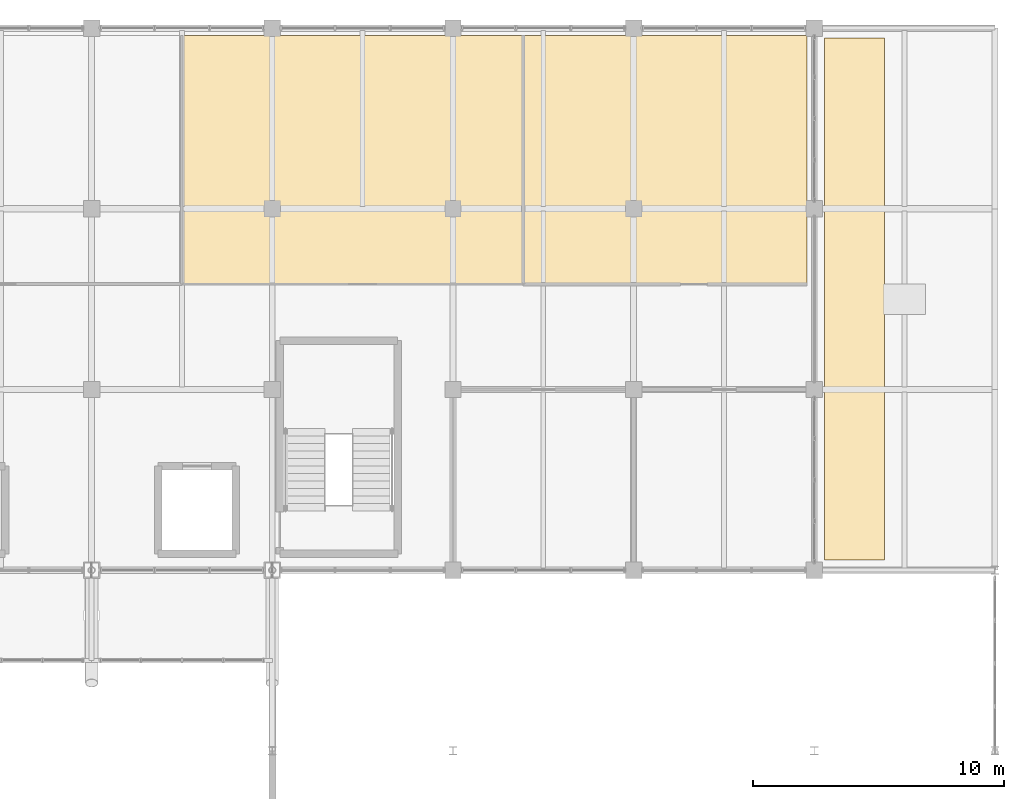
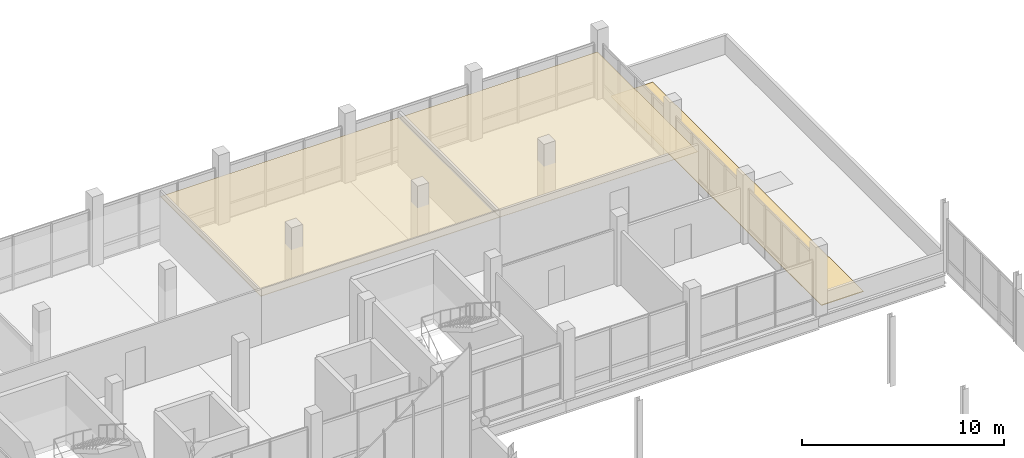
# One storey, part 102 of 102: 3 coverings.
"""IFC4 building model written with IfcOpenShell, lengths in metres."""

import ifcopenshell
import ifcopenshell.guid

model = None  # the IFC model being written
_history = None  # IfcOwnerHistory: only IFC2X3 demands one
_inside = {}  # id of a spatial element -> (the spatial element, [elements in it])
_under = {}  # id of a project, library or spatial element -> (it, [spatial elements below it])
_declared = {}  # id of a project -> (the project, [libraries it declares])
_typed = {}  # id of a type object -> (the type object, [elements of that type])
_made_of = {}  # id of a material, layer set ... -> (it, [elements and type objects made of it])


def new_model(schema):
    """Start an empty IFC model of exactly this schema.

    Asked for "IFC4X3", IfcOpenShell would pick the latest addendum, in which some entities
    have other attributes; the version numbers below select the first issue.
    IFC2X3 requires an IfcOwnerHistory on every rooted entity: one is made here for all.
    """
    global model, _history
    if schema == "IFC4X3":
        model = ifcopenshell.file(schema_version=(4, 3, 0, 0))
    else:
        model = ifcopenshell.file(schema=schema)
    _inside.clear()
    _under.clear()
    _declared.clear()
    _typed.clear()
    _made_of.clear()
    _history = None
    if model.schema == "IFC2X3":
        org = make("IfcOrganization", Name="unknown")
        user = make(
            "IfcPersonAndOrganization",
            ThePerson=make("IfcPerson", FamilyName="unknown"),
            TheOrganization=org,
        )
        app = make(
            "IfcApplication",
            ApplicationDeveloper=org,
            Version="unknown",
            ApplicationFullName="unknown",
            ApplicationIdentifier="unknown",
        )
        _history = make(
            "IfcOwnerHistory",
            OwningUser=user,
            OwningApplication=app,
            ChangeAction="ADDED",
            CreationDate=0,
        )
    return model


def make(cls, **values):
    """One entity of the class cls with the attributes given. An attribute that is None is left unset."""
    return model.create_entity(
        cls, **{name: value for name, value in values.items() if value is not None}
    )


def rooted(cls, **values):
    """An entity with a GlobalId (a new one), such as an element, a storey or a relation."""
    return make(cls, GlobalId=ifcopenshell.guid.new(), OwnerHistory=_history, **values)


def si_unit(unit_type, name, prefix=None):
    """IfcSIUnit, for example si_unit("LENGTHUNIT", "METRE", prefix="MILLI")."""
    return make("IfcSIUnit", UnitType=unit_type, Prefix=prefix, Name=name)


def assignment(units):
    """IfcUnitAssignment: the units of a project."""
    return None if units is None else make("IfcUnitAssignment", Units=units)


def point(xyz):
    """IfcCartesianPoint."""
    return None if xyz is None else make("IfcCartesianPoint", Coordinates=xyz)


def direction(xyz):
    """IfcDirection."""
    return None if xyz is None else make("IfcDirection", DirectionRatios=xyz)


def frame(location, z_axis=None, x_axis=None):
    """IfcAxis2Placement3D, a coordinate frame: its origin and axes. An axis left out is left unset."""
    return make(
        "IfcAxis2Placement3D",
        Location=point(location),
        Axis=direction(z_axis),
        RefDirection=direction(x_axis),
    )


def origin():
    """The frame at (0, 0, 0) with its axes left unset."""
    return frame((0.0, 0.0, 0.0))


def place(relative_to, where):
    """IfcLocalPlacement: puts the frame where relative to a parent placement (None: the world)."""
    return make(
        "IfcLocalPlacement", PlacementRelTo=relative_to, RelativePlacement=where
    )


def context(
    kind, dimensions, precision=None, world=None, true_north=None, identifier=None
):
    """IfcGeometricRepresentationContext, for example the 3D "Model" context."""
    return make(
        "IfcGeometricRepresentationContext",
        ContextIdentifier=identifier,
        ContextType=kind,
        CoordinateSpaceDimension=dimensions,
        Precision=precision,
        WorldCoordinateSystem=world,
        TrueNorth=true_north,
    )


def subcontext(parent, identifier, kind, view, scale=None):
    """IfcGeometricRepresentationSubContext, for example "Body" below "Model"."""
    return make(
        "IfcGeometricRepresentationSubContext",
        ContextIdentifier=identifier,
        ContextType=kind,
        ParentContext=parent,
        TargetScale=scale,
        TargetView=view,
    )


def project(units=None, contexts=None):
    """IfcProject with its units and contexts."""
    return rooted(
        "IfcProject",
        Name="project",
        RepresentationContexts=contexts,
        UnitsInContext=assignment(units),
    )


def spatial(cls, under=None, at=None, **own):
    """A site, building, storey or space (cls), placed at a placement, below another one or the project."""
    s = rooted(cls, ObjectPlacement=at, **own)
    if under is not None:
        _under.setdefault(under.id(), (under, []))[1].append(s)
    return s


def polyline(points):
    """IfcPolyline through the points."""
    return make("IfcPolyline", Points=[point(p) for p in points])


def outline(outer, holes=None, kind="AREA"):
    """IfcArbitraryClosedProfileDef: a profile drawn as a closed curve; with holes, ...WithVoids."""
    if holes is None:
        return make("IfcArbitraryClosedProfileDef", ProfileType=kind, OuterCurve=outer)
    return make(
        "IfcArbitraryProfileDefWithVoids",
        ProfileType=kind,
        OuterCurve=outer,
        InnerCurves=holes,
    )


def extrude(swept, where, along, depth):
    """IfcExtrudedAreaSolid: the profile swept, set in the frame where, extruded along a direction by depth."""
    return make(
        "IfcExtrudedAreaSolid",
        SweptArea=swept,
        Position=where,
        ExtrudedDirection=direction(along),
        Depth=depth,
    )


def shape(context_of_items, identifier, shape_type, items):
    """IfcShapeRepresentation: the items that make up one representation, for example the "Body"."""
    return make(
        "IfcShapeRepresentation",
        ContextOfItems=context_of_items,
        RepresentationIdentifier=identifier,
        RepresentationType=shape_type,
        Items=items,
    )


def material(Name=None, Category=None):
    """IfcMaterial."""
    return make("IfcMaterial", Name=Name, Category=Category)


def layer(
    of_material, thickness, ventilated=None, Name=None, Category=None, Priority=None
):
    """IfcMaterialLayer: one layer of a wall or slab, of a material (None: an air gap)."""
    return make(
        "IfcMaterialLayer",
        Material=of_material,
        LayerThickness=thickness,
        IsVentilated=ventilated,
        Name=Name,
        Category=Category,
        Priority=Priority,
    )


def layer_set(layers, Name=None):
    """IfcMaterialLayerSet."""
    return make("IfcMaterialLayerSet", MaterialLayers=layers, LayerSetName=Name)


def made_of(thing, what):
    """Note that an element or type object is made of a material, layer set ...; save() writes the relation."""
    if what is not None:
        _made_of.setdefault(what.id(), (what, []))[1].append(thing)
    return thing


def type_object(cls, material=None, **own):
    """A type object (cls), such as IfcWallType, which elements share."""
    return made_of(rooted(cls, **own), material)


def element(
    cls,
    number,
    at=None,
    inside=None,
    cuts=None,
    type_object=None,
    material=None,
    context=None,
    identifier="Body",
    shape_type=None,
    held_by="IfcProductDefinitionShape",
    body=None,
    shapes=None,
    **own,
):
    """One element of the class cls, such as IfcWall. Its Tag is "e" and its number.

    at: its placement. inside: the storey or other place that contains it. cuts: it is an
    opening in that element (IfcRelVoidsElement). A single representation is given by context,
    identifier, shape_type and body (its items); several are given by shapes. held_by: the class
    of the entity that holds the representations. save() writes the other relations.
    """
    e = rooted(cls, Tag="e%d" % number, ObjectPlacement=at, **own)
    if body is not None:
        shapes = [shape(context, identifier, shape_type, body)]
    if shapes is not None:
        e.Representation = make(held_by, Representations=shapes)
    if inside is not None:
        _inside.setdefault(inside.id(), (inside, []))[1].append(e)
    if cuts is not None:
        rooted(
            "IfcRelVoidsElement", RelatingBuildingElement=cuts, RelatedOpeningElement=e
        )
    if type_object is not None:
        _typed.setdefault(type_object.id(), (type_object, []))[1].append(e)
    return made_of(e, material)


def aggregate(whole, parts):
    """IfcRelAggregates: a whole, such as a stair, and the parts it consists of."""
    return rooted("IfcRelAggregates", RelatingObject=whole, RelatedObjects=parts)


def save(model, path):
    """Write the relations noted so far, then the file.

    IfcRelAggregates (storeys below a building ...), IfcRelContainedInSpatialStructure (elements
    in a storey), IfcRelDefinesByType, IfcRelAssociatesMaterial and IfcRelDeclares: one each for
    every whole, place, type object, material and project.
    """
    for whole, parts in _under.values():
        aggregate(whole, parts)
    for where, things in _inside.values():
        rooted(
            "IfcRelContainedInSpatialStructure",
            RelatedElements=things,
            RelatingStructure=where,
        )
    for kind, things in _typed.values():
        rooted("IfcRelDefinesByType", RelatedObjects=things, RelatingType=kind)
    for what, things in _made_of.values():
        rooted("IfcRelAssociatesMaterial", RelatedObjects=things, RelatingMaterial=what)
    for by, libraries in _declared.values():
        rooted("IfcRelDeclares", RelatingContext=by, RelatedDefinitions=libraries)
    model.write(path)


model = new_model("IFC4")

# Units and contexts
model_context = context("Model", 3, precision=1e-05, world=origin(), true_north=direction((0.0, 1.0)))
body_context = subcontext(model_context, "Body", "Model", "MODEL_VIEW")
ifc_project = project(units=[si_unit("LENGTHUNIT", "METRE"), si_unit("AREAUNIT", "SQUARE_METRE"), si_unit("VOLUMEUNIT", "CUBIC_METRE"), si_unit("PLANEANGLEUNIT", "RADIAN"), si_unit("MASSUNIT", "GRAM", prefix="KILO")], contexts=[model_context])

# Site, building, storey
site_placement = place(None, origin())
site = spatial("IfcSite", under=ifc_project, at=site_placement, CompositionType="ELEMENT")
building_placement = place(site_placement, origin())
building = spatial("IfcBuilding", under=site, at=building_placement, Name="Yarey Park Central Fire Station", CompositionType="ELEMENT")
storey_placement = place(building_placement, frame((0.0, 0.0, 6.0)))
storey = spatial("IfcBuildingStorey", under=building, at=storey_placement, Name="L02", CompositionType="ELEMENT", Elevation=6.0)

# Coverings
ifc_material_1 = material(Name="High-Albedo TPO Roofing Membrane", Category="membrane")
ifc_layer_1 = layer(ifc_material_1, 0.034912109375)
ifc_layer_set_1 = layer_set([ifc_layer_1], Name="High-Albedo TPO Roofing Membrane")
covering_type_1 = type_object("IfcCoveringType", Name="ENV_COV_ROOF_1", PredefinedType="ROOFING", material=ifc_layer_set_1)
covering_1_placement = place(storey_placement, origin())
element("IfcCovering", 1, at=covering_1_placement, inside=storey, type_object=covering_type_1, Name="ROOFING_L02_STP", PredefinedType="ROOFING", context=body_context, shape_type="SweptSolid", body=[
    extrude(outline(polyline([(158.800048828125, 94.0), (161.199951171875, 94.0), (161.199951171875, 114.800048828125), (158.800048828125, 114.800048828125), (158.800048828125, 94.0)])), origin(), (0.0, 0.0, 1.0), 0.034912109375),
])
ifc_material_2 = material(Name="Acoustic Mineral Fibre Tile", Category="finish")
ifc_layer_2 = layer(ifc_material_2, 0.02001953125)
ifc_layer_set_2 = layer_set([ifc_layer_2], Name="Acoustic Mineral Fibre Tile")
covering_type_2 = type_object("IfcCoveringType", Name="INT_CEIL_ACT_1", PredefinedType="CEILING", material=ifc_layer_set_2)
covering_2_placement = place(storey_placement, frame((0.0, 0.0, 2.85009765625)))
element("IfcCovering", 2, at=covering_2_placement, inside=storey, type_object=covering_type_2, Name="CEIL_SPC_L02_OPS3", PredefinedType="CEILING", context=body_context, shape_type="SweptSolid", body=[
    extrude(outline(polyline([(146.7900390625, 104.989990234375), (158.110107421875, 104.989990234375), (158.110107421875, 114.909912109375), (146.7900390625, 114.909912109375), (146.7900390625, 104.989990234375)])), origin(), (0.0, 0.0, 1.0), 0.02001953125),
])
ifc_layer_3 = layer(ifc_material_2, 0.031982421875)
ifc_layer_set_3 = layer_set([ifc_layer_3], Name="Acoustic Mineral Fibre Tile")
covering_type_3 = type_object("IfcCoveringType", Name="INT_CEIL_ACT_2", PredefinedType="CEILING", material=ifc_layer_set_3)
covering_3_placement = place(storey_placement, frame((0.0, 0.0, 2.85009765625)))
element("IfcCovering", 3, at=covering_3_placement, inside=storey, type_object=covering_type_3, Name="CEIL_SPC_L02_OPS2", PredefinedType="CEILING", context=body_context, shape_type="SweptSolid", body=[
    extrude(outline(polyline([(133.18994140625, 104.989990234375), (146.81005859375, 104.989990234375), (146.81005859375, 114.909912109375), (133.18994140625, 114.909912109375), (133.18994140625, 104.989990234375)])), origin(), (0.0, 0.0, 1.0), 0.031982421875),
])

save(model, "model.ifc")
